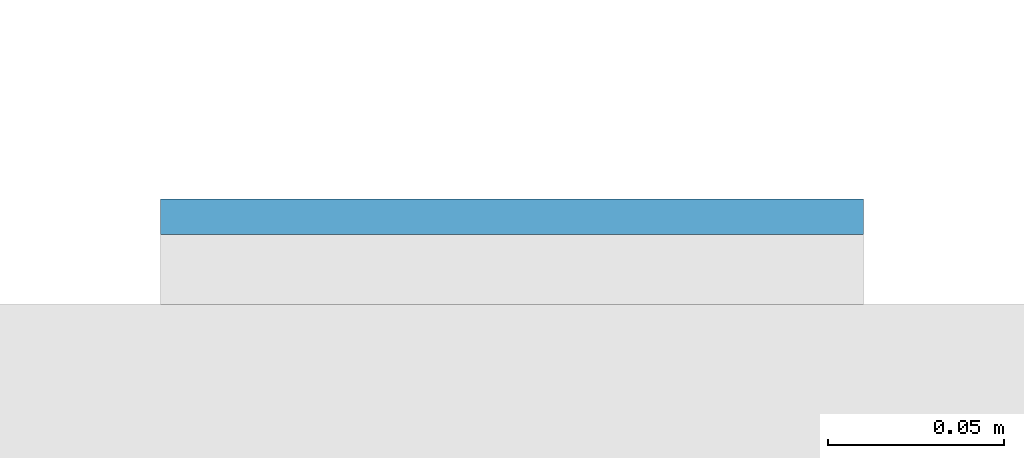
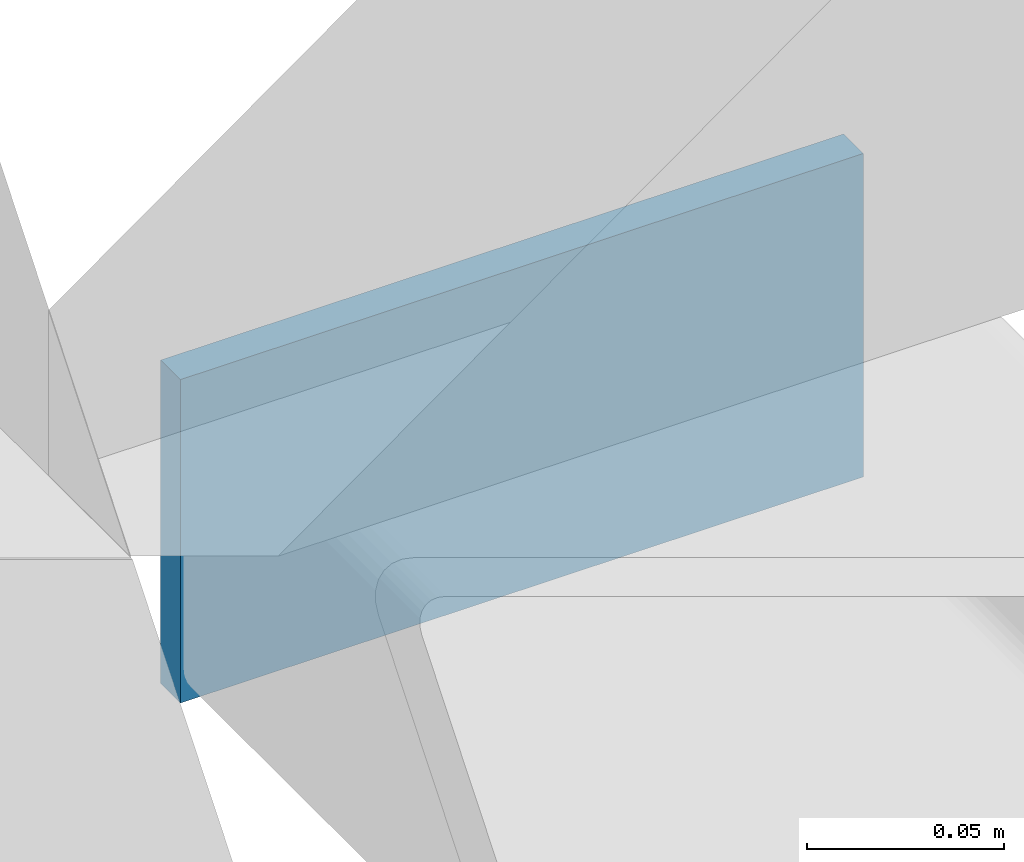
# One storey, part 11 of 20: 1 plate.
"""IFC4 building model written with IfcOpenShell, lengths in metres."""

from ifc_helpers import new_model, si_unit, direction, frame, origin, origin_2d, place, context, subcontext, project, spatial, rectangle, extrude, material, layer, layer_set, type_object, element, save


model = new_model("IFC4")

# Units and contexts
model_context = context("Model", 3, precision=1e-05, world=origin(), true_north=direction((0.0, 1.0)))
body_context = subcontext(model_context, "Body", "Model", "MODEL_VIEW")
ifc_project = project(units=[si_unit("LENGTHUNIT", "METRE"), si_unit("AREAUNIT", "SQUARE_METRE"), si_unit("VOLUMEUNIT", "CUBIC_METRE"), si_unit("PLANEANGLEUNIT", "RADIAN"), si_unit("MASSUNIT", "GRAM", prefix="KILO")], contexts=[model_context])

# Site, building, storey
site_placement = place(None, origin())
site = spatial("IfcSite", under=ifc_project, at=site_placement, CompositionType="ELEMENT")
building_placement = place(site_placement, origin())
building = spatial("IfcBuilding", under=site, at=building_placement, Name="Cleftline Residences", CompositionType="ELEMENT")
storey_placement = place(building_placement, frame((0.0, 0.0, 47.60009765625)))
storey = spatial("IfcBuildingStorey", under=building, at=storey_placement, Name="L11", CompositionType="ELEMENT", Elevation=47.60009765625)

# Plate
ifc_material = material(Name="Steel S355, hot-dip galvanised", Category="steel")
ifc_layer = layer(ifc_material, 0.010009765625)
ifc_layer_set = layer_set([ifc_layer], Name="BAGUETTE CARRIER END PLATE 200X100X10")
plate_type = type_object("IfcPlateType", Name="BAGUETTE CARRIER END PLATE 200X100X10", PredefinedType="USERDEFINED", material=ifc_layer_set)
plate_placement = place(storey_placement, frame((66.85009765625, 44.304931640625, -0.10009765625), z_axis=(0.0, 0.0, 1.0), x_axis=(1.0, 0.0, 0.0)))
element("IfcPlate", 1, at=plate_placement, inside=storey, type_object=plate_type, Name="Baguette carrier end plate", ObjectType="BAGUETTE CARRIER END PLATE", PredefinedType="USERDEFINED", context=body_context, shape_type="SweptSolid", body=[
    extrude(rectangle(XDim=0.199951171875, YDim=0.010009765625, at=origin_2d()), origin(), (0.0, 0.0, 1.0), 0.10009765625),
])

save(model, "model.ifc")
